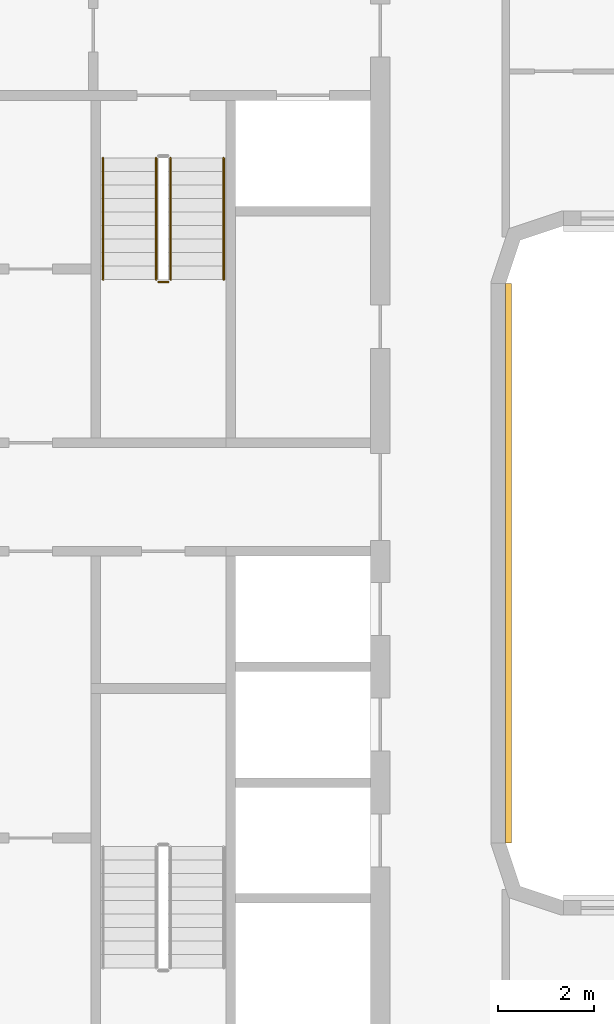
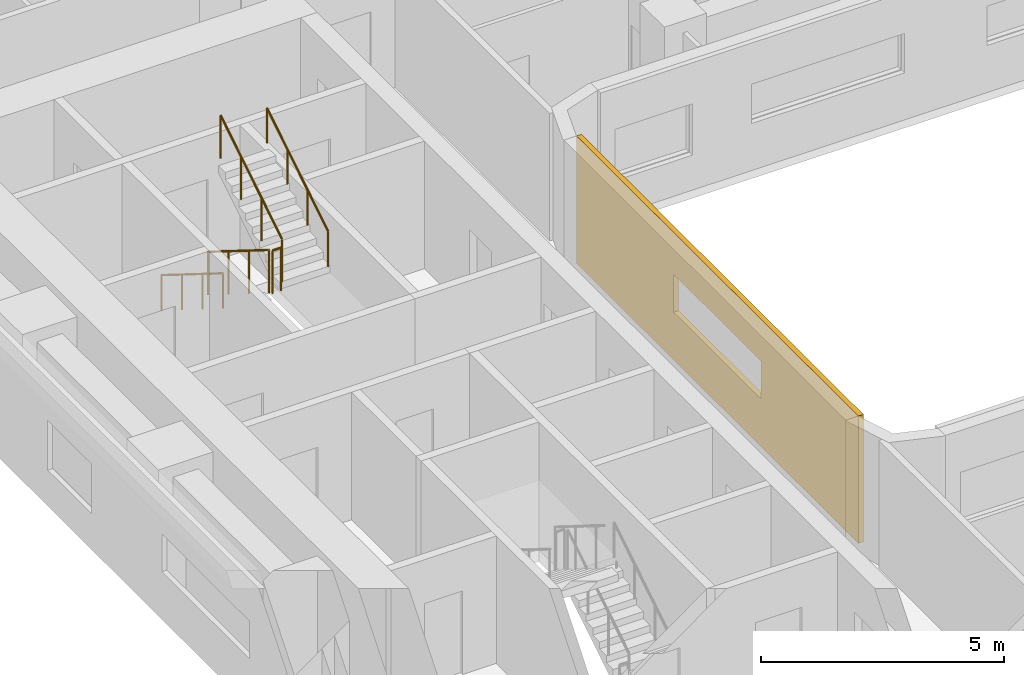
# One storey, part 15 of 22: 5 railings, 1 covering.
"""IFC4 building model written with IfcOpenShell, lengths in metres."""

from ifc_helpers import new_model, si_unit, direction, frame, origin, origin_2d, place, context, subcontext, project, spatial, polyline, circle, outline, extrude, material, layer, layer_set, type_object, element, save


model = new_model("IFC4")

# Units and contexts
model_context = context("Model", 3, precision=1e-05, world=origin(), true_north=direction((0.0, 1.0)))
body_context = subcontext(model_context, "Body", "Model", "MODEL_VIEW")
ifc_project = project(units=[si_unit("LENGTHUNIT", "METRE"), si_unit("AREAUNIT", "SQUARE_METRE"), si_unit("VOLUMEUNIT", "CUBIC_METRE"), si_unit("PLANEANGLEUNIT", "RADIAN"), si_unit("MASSUNIT", "GRAM", prefix="KILO")], contexts=[model_context])

# Site, building, storey
site_placement = place(None, origin())
site = spatial("IfcSite", under=ifc_project, at=site_placement, CompositionType="ELEMENT")
building_placement = place(site_placement, origin())
building = spatial("IfcBuilding", under=site, at=building_placement, Name="Kiln Ring Residences", CompositionType="ELEMENT")
storey_placement = place(building_placement, frame((0.0, 0.0, 97.300048828125)))
storey = spatial("IfcBuildingStorey", under=building, at=storey_placement, Name="L24", CompositionType="ELEMENT", Elevation=97.300048828125)

# Railings
ifc_material_1 = material(Name="Stainless steel", Category="steel")
railing_type_1 = type_object("IfcRailingType", Name="CORE-STAIR-GUARD", PredefinedType="GUARDRAIL", material=ifc_material_1)
railing_1_placement = place(storey_placement, frame((-22.25, 8.39990234375, 0.175048828125)))
element("IfcRailing", 1, at=railing_1_placement, inside=storey, type_object=railing_type_1, Name="L24 W-STN stair guard 1", PredefinedType="GUARDRAIL", context=body_context, shape_type="SweptSolid", body=[
    extrude(circle(Radius=0.02392578125, at=origin_2d()), frame((0.0, 0.0, 1.076171875), z_axis=(0.0, -0.848007534815, 0.529984170421), x_axis=(1.0, 0.0, 0.0)), (0.0, 0.0, 1.0), 2.9716796875),
    extrude(circle(Radius=0.02099609375, at=origin_2d()), origin(), (0.0, 0.0, 1.0), 1.052001953125),
    extrude(circle(Radius=0.02099609375, at=origin_2d()), frame((0.0, -0.840087890625, 0.52490234375)), (0.0, 0.0, 1.0), 1.052001953125),
    extrude(circle(Radius=0.02099609375, at=origin_2d()), frame((0.0, -1.679931640625, 1.050048828125)), (0.0, 0.0, 1.0), 1.052001953125),
    extrude(circle(Radius=0.02099609375, at=origin_2d()), frame((0.0, -2.52001953125, 1.574951171875)), (0.0, 0.0, 1.0), 1.052001953125),
])
railing_2_placement = place(storey_placement, frame((-22.199951171875, 5.830078125, 1.75)))
element("IfcRailing", 2, at=railing_2_placement, inside=storey, type_object=railing_type_1, Name="L24 W-STN stair guard 2", PredefinedType="GUARDRAIL", context=body_context, shape_type="SweptSolid", body=[
    extrude(circle(Radius=0.02392578125, at=origin_2d()), frame((0.0, 0.0, 1.076171875), z_axis=(1.0, 0.0, 0.0), x_axis=(0.0, 1.0, 0.0)), (0.0, 0.0, 1.0), 0.199951171875),
    extrude(circle(Radius=0.02099609375, at=origin_2d()), origin(), (0.0, 0.0, 1.0), 1.052001953125),
    extrude(circle(Radius=0.02099609375, at=origin_2d()), frame((0.199951171875, 0.0, 0.0)), (0.0, 0.0, 1.0), 1.052001953125),
])
railing_3_placement = place(storey_placement, frame((-21.949951171875, 5.8798828125, 1.925048828125)))
element("IfcRailing", 3, at=railing_3_placement, inside=storey, type_object=railing_type_1, Name="L24 W-STN stair guard 3", PredefinedType="GUARDRAIL", context=body_context, shape_type="SweptSolid", body=[
    extrude(circle(Radius=0.02392578125, at=origin_2d()), frame((0.0, 0.0, 1.076171875), z_axis=(0.0, 0.848007534815, 0.529984170421), x_axis=(-1.0, 0.0, 0.0)), (0.0, 0.0, 1.0), 2.9716796875),
    extrude(circle(Radius=0.02099609375, at=origin_2d()), origin(), (0.0, 0.0, 1.0), 1.052001953125),
    extrude(circle(Radius=0.02099609375, at=origin_2d()), frame((0.0, 0.840087890625, 0.52490234375)), (0.0, 0.0, 1.0), 1.052001953125),
    extrude(circle(Radius=0.02099609375, at=origin_2d()), frame((0.0, 1.679931640625, 1.050048828125)), (0.0, 0.0, 1.0), 1.052001953125),
    extrude(circle(Radius=0.02099609375, at=origin_2d()), frame((0.0, 2.52001953125, 1.574951171875)), (0.0, 0.0, 1.0), 1.052001953125),
])
ifc_material_2 = material(Name="Stainless steel", Category="steel")
railing_type_2 = type_object("IfcRailingType", Name="CORE-STAIR-HANDRAIL", PredefinedType="HANDRAIL", material=ifc_material_2)
railing_4_placement = place(storey_placement, frame((-23.35009765625, 8.39990234375, 0.175048828125)))
element("IfcRailing", 4, at=railing_4_placement, inside=storey, type_object=railing_type_2, Name="L24 W-STN stair handrail 1", PredefinedType="HANDRAIL", context=body_context, shape_type="SweptSolid", body=[
    extrude(circle(Radius=0.02392578125, at=origin_2d()), frame((0.0, 0.0, 0.8759765625), z_axis=(0.0, -0.848007534815, 0.529984170421), x_axis=(1.0, 0.0, 0.0)), (0.0, 0.0, 1.0), 2.9716796875),
    extrude(circle(Radius=0.02099609375, at=origin_2d()), origin(), (0.0, 0.0, 1.0), 0.851806640625),
    extrude(circle(Radius=0.02099609375, at=origin_2d()), frame((0.0, -0.840087890625, 0.52490234375)), (0.0, 0.0, 1.0), 0.851806640625),
    extrude(circle(Radius=0.02099609375, at=origin_2d()), frame((0.0, -1.679931640625, 1.050048828125)), (0.0, 0.0, 1.0), 0.851806640625),
    extrude(circle(Radius=0.02099609375, at=origin_2d()), frame((0.0, -2.52001953125, 1.574951171875)), (0.0, 0.0, 1.0), 0.851806640625),
])
railing_5_placement = place(storey_placement, frame((-20.85009765625, 5.8798828125, 1.925048828125)))
element("IfcRailing", 5, at=railing_5_placement, inside=storey, type_object=railing_type_2, Name="L24 W-STN stair handrail 2", PredefinedType="HANDRAIL", context=body_context, shape_type="SweptSolid", body=[
    extrude(circle(Radius=0.02392578125, at=origin_2d()), frame((0.0, 0.0, 0.8759765625), z_axis=(0.0, 0.848007534815, 0.529984170421), x_axis=(-1.0, 0.0, 0.0)), (0.0, 0.0, 1.0), 2.9716796875),
    extrude(circle(Radius=0.02099609375, at=origin_2d()), origin(), (0.0, 0.0, 1.0), 0.851806640625),
    extrude(circle(Radius=0.02099609375, at=origin_2d()), frame((0.0, 0.840087890625, 0.52490234375)), (0.0, 0.0, 1.0), 0.851806640625),
    extrude(circle(Radius=0.02099609375, at=origin_2d()), frame((0.0, 1.679931640625, 1.050048828125)), (0.0, 0.0, 1.0), 0.851806640625),
    extrude(circle(Radius=0.02099609375, at=origin_2d()), frame((0.0, 2.52001953125, 1.574951171875)), (0.0, 0.0, 1.0), 0.851806640625),
])

# Covering
ifc_material_3 = material(Name="Brick masonry, dark clay brick", Category="masonry")
ifc_layer = layer(ifc_material_3, 0.1201171875)
ifc_layer_set = layer_set([ifc_layer], Name="RAINSCREEN PANEL 120")
covering_type = type_object("IfcCoveringType", Name="RAINSCREEN PANEL 120", PredefinedType="CLADDING", material=ifc_layer_set)
covering_placement = place(storey_placement, frame((-14.93994140625, -5.800048828125, 0.0), z_axis=(0.0, 0.0, 1.0), x_axis=(0.0, 1.0, 0.0)))
element("IfcCovering", 6, at=covering_placement, inside=storey, type_object=covering_type, Name="RAINSCREEN L24", PredefinedType="CLADDING", context=body_context, shape_type="SweptSolid", body=[
    extrude(outline(polyline([(0.0, 0.0), (11.60009765625, 0.0), (11.60009765625, 3.199951171875), (0.0, 3.199951171875), (0.0, 0.0)]), holes=[polyline([(4.0, 2.14990234375), (4.0, 1.199951171875), (7.60009765625, 1.199951171875), (7.60009765625, 2.14990234375), (4.0, 2.14990234375)])]), frame((0.0, 0.06005859375, 0.0), z_axis=(0.0, -1.0, 0.0), x_axis=(1.0, 0.0, 0.0)), (0.0, 0.0, 1.0), 0.1201171875),
])

save(model, "model.ifc")
